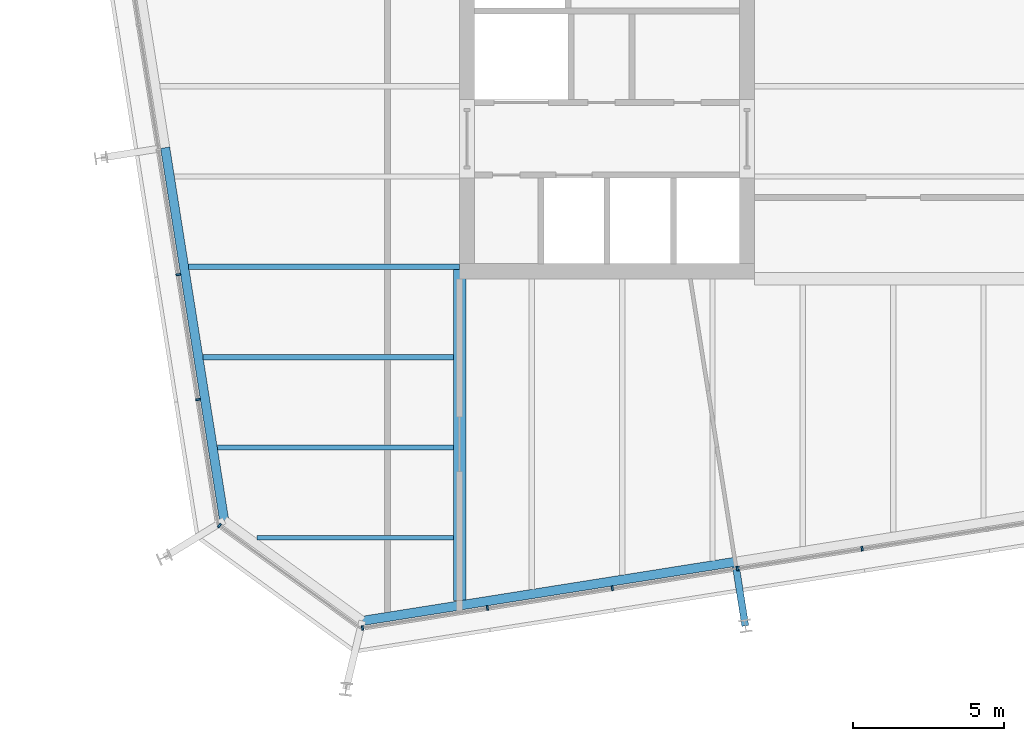
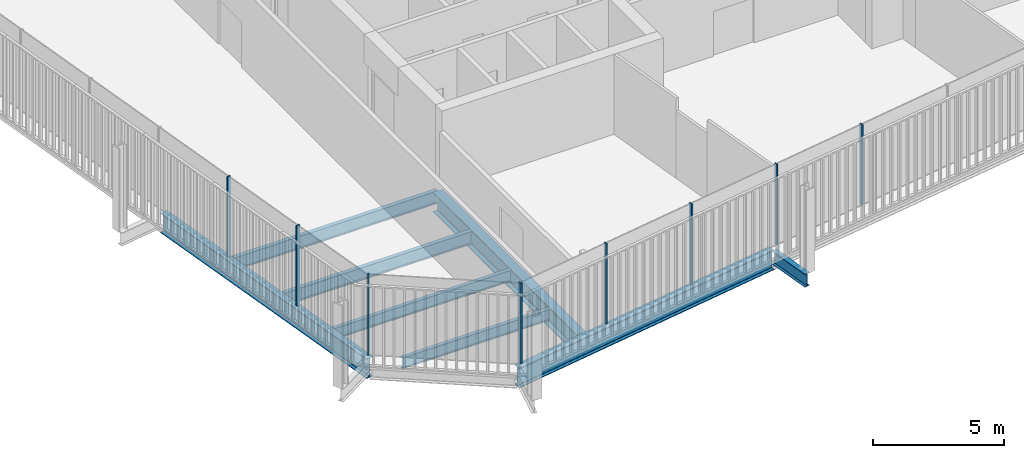
# One storey, part 2 of 20: 8 beams, 8 members, 3 elements without a shape of their own.
"""IFC4 building model written with IfcOpenShell, lengths in metres."""

from ifc_helpers import new_model, si_unit, direction, frame, origin, origin_2d, place, context, subcontext, project, spatial, rectangle, i_section, extrude, material, layer, layer_set, material_profile, profile_set, type_object, element, aggregate, save


model = new_model("IFC4")

# Units and contexts
model_context = context("Model", 3, precision=1e-05, world=origin(), true_north=direction((0.0, 1.0)))
body_context = subcontext(model_context, "Body", "Model", "MODEL_VIEW")
ifc_project = project(units=[si_unit("LENGTHUNIT", "METRE"), si_unit("AREAUNIT", "SQUARE_METRE"), si_unit("VOLUMEUNIT", "CUBIC_METRE"), si_unit("PLANEANGLEUNIT", "RADIAN"), si_unit("MASSUNIT", "GRAM", prefix="KILO")], contexts=[model_context])

# Site, building, storey
site_placement = place(None, origin())
site = spatial("IfcSite", under=ifc_project, at=site_placement, CompositionType="ELEMENT")
building_placement = place(site_placement, origin())
building = spatial("IfcBuilding", under=site, at=building_placement, Name="Millrace Tower", CompositionType="ELEMENT")
storey_placement = place(building_placement, frame((0.0, 0.0, 232.0)))
storey = spatial("IfcBuildingStorey", under=building, at=storey_placement, Name="L53", CompositionType="ELEMENT", Elevation=232.0)

# Curtain wall, member
ifc_material_1 = material(Name="Aluminium and glass", Category="aluminium")
ifc_layer = layer(ifc_material_1, 0.14990234375)
ifc_layer_set = layer_set([ifc_layer], Name="Aluminium and glass")
curtain_wall_type = type_object("IfcCurtainWallType", Name="CW-1 office vision curtain wall", PredefinedType="NOTDEFINED", material=ifc_layer_set)
placement = place(storey_placement, origin())
curtain_wall_1 = element("IfcCurtainWall", 1, at=placement, inside=storey, type_object=curtain_wall_type, Name="Curtain wall D-F01 L53", PredefinedType="NOTDEFINED")
ifc_material_2 = material(Name="Aluminium", Category="aluminium")
ifc_material_profile_1 = material_profile(ifc_material_2, rectangle(XDim=0.06494140625, YDim=0.14990234375, at=origin_2d()))
ifc_profile_set_1 = profile_set([ifc_material_profile_1], Name="Aluminium")
member_type = type_object("IfcMemberType", Name="CW-1 office vision curtain wall mullion", PredefinedType="MULLION", material=ifc_profile_set_1)
member_1_placement = place(storey_placement, frame((-22.3779296875, -17.594970703125, 0.139892578125), z_axis=(0.0, 0.0, 1.0), x_axis=(0.809016955361, -0.587785305991, 0.0)))
member_1 = element("IfcMember", 2, at=member_1_placement, type_object=member_type, Name="CW1 mullion D-F01.1", PredefinedType="MULLION", context=body_context, shape_type="SweptSolid", body=[
    extrude(rectangle(XDim=0.06494140625, YDim=0.14990234375, at=origin_2d()), origin(), (0.0, 0.0, 1.0), 3.760009765625),
])
aggregate(curtain_wall_1, [member_1])

# Curtain wall, members
curtain_wall_2 = element("IfcCurtainWall", 3, at=placement, inside=storey, type_object=curtain_wall_type, Name="Curtain wall D-F02 L53", PredefinedType="NOTDEFINED")
member_2_placement = place(storey_placement, frame((-17.62548828125, -20.992431640625, 0.139892578125), z_axis=(0.0, 0.0, 1.0), x_axis=(0.987688339511, 0.156434471884, 0.0)))
member_2 = element("IfcMember", 4, at=member_2_placement, type_object=member_type, Name="CW1 mullion D-F02.1", PredefinedType="MULLION", context=body_context, shape_type="SweptSolid", body=[
    extrude(rectangle(XDim=0.06494140625, YDim=0.14990234375, at=origin_2d()), origin(), (0.0, 0.0, 1.0), 3.760009765625),
])
member_3_placement = place(storey_placement, frame((-13.477294921875, -20.33544921875, 0.139892578125), z_axis=(0.0, 0.0, 1.0), x_axis=(0.987688339511, 0.156434471884, 0.0)))
member_3 = element("IfcMember", 5, at=member_3_placement, type_object=member_type, Name="CW1 mullion D-F02.2", PredefinedType="MULLION", context=body_context, shape_type="SweptSolid", body=[
    extrude(rectangle(XDim=0.06494140625, YDim=0.14990234375, at=origin_2d()), origin(), (0.0, 0.0, 1.0), 3.760009765625),
])
member_4_placement = place(storey_placement, frame((-9.328857421875, -19.678466796875, 0.139892578125), z_axis=(0.0, 0.0, 1.0), x_axis=(0.987688339511, 0.156434471884, 0.0)))
member_4 = element("IfcMember", 6, at=member_4_placement, type_object=member_type, Name="CW1 mullion D-F02.3", PredefinedType="MULLION", context=body_context, shape_type="SweptSolid", body=[
    extrude(rectangle(XDim=0.06494140625, YDim=0.14990234375, at=origin_2d()), origin(), (0.0, 0.0, 1.0), 3.760009765625),
])
member_5_placement = place(storey_placement, frame((-5.1806640625, -19.021240234375, 0.139892578125), z_axis=(0.0, 0.0, 1.0), x_axis=(0.987688339511, 0.156434471884, 0.0)))
member_5 = element("IfcMember", 7, at=member_5_placement, type_object=member_type, Name="CW1 mullion D-F02.4", PredefinedType="MULLION", context=body_context, shape_type="SweptSolid", body=[
    extrude(rectangle(XDim=0.06494140625, YDim=0.14990234375, at=origin_2d()), origin(), (0.0, 0.0, 1.0), 3.760009765625),
])
member_6_placement = place(storey_placement, frame((-1.0322265625, -18.3642578125, 0.139892578125), z_axis=(0.0, 0.0, 1.0), x_axis=(0.987688339511, 0.156434471884, 0.0)))
member_6 = element("IfcMember", 8, at=member_6_placement, type_object=member_type, Name="CW1 mullion D-F02.5", PredefinedType="MULLION", context=body_context, shape_type="SweptSolid", body=[
    extrude(rectangle(XDim=0.06494140625, YDim=0.14990234375, at=origin_2d()), origin(), (0.0, 0.0, 1.0), 3.760009765625),
])
aggregate(curtain_wall_2, [member_2, member_3, member_4, member_5, member_6])

curtain_wall_3 = element("IfcCurtainWall", 9, at=placement, inside=storey, type_object=curtain_wall_type, Name="Curtain wall D-F08 L53", PredefinedType="NOTDEFINED")
member_7_placement = place(storey_placement, frame((-23.7431640625, -9.262451171875, 0.139892578125), z_axis=(0.0, 0.0, 1.0), x_axis=(0.156434471884, -0.987688339511, 0.0)))
member_7 = element("IfcMember", 10, at=member_7_placement, type_object=member_type, Name="CW1 mullion D-F08.8", PredefinedType="MULLION", context=body_context, shape_type="SweptSolid", body=[
    extrude(rectangle(XDim=0.06494140625, YDim=0.14990234375, at=origin_2d()), origin(), (0.0, 0.0, 1.0), 3.760009765625),
])
member_8_placement = place(storey_placement, frame((-23.086181640625, -13.410888671875, 0.139892578125), z_axis=(0.0, 0.0, 1.0), x_axis=(0.156434471884, -0.987688339511, 0.0)))
member_8 = element("IfcMember", 11, at=member_8_placement, type_object=member_type, Name="CW1 mullion D-F08.9", PredefinedType="MULLION", context=body_context, shape_type="SweptSolid", body=[
    extrude(rectangle(XDim=0.06494140625, YDim=0.14990234375, at=origin_2d()), origin(), (0.0, 0.0, 1.0), 3.760009765625),
])
aggregate(curtain_wall_3, [member_7, member_8])

# Beams
ifc_material_3 = material(Name="Steel ASTM A992 Grade 50", Category="steel")
ifc_material_profile_2 = material_profile(ifc_material_3, i_section(OverallWidth=0.1650390625, OverallDepth=0.52587890625, WebThickness=0.0087890625, FlangeThickness=0.011474609375, FilletRadius=0.0126953125, at=origin_2d()))
ifc_profile_set_2 = profile_set([ifc_material_profile_2], Name="Steel ASTM A992 Grade 50")
beam_type_1 = type_object("IfcBeamType", Name="Floor beam W21x44", PredefinedType="JOIST", material=ifc_profile_set_2)
beam_1_placement = place(storey_placement, frame((-22.447509765625, -15.0, -0.4228515625), z_axis=(1.0, 0.0, 0.0), x_axis=(0.0, 1.0, 0.0)))
element("IfcBeam", 12, at=beam_1_placement, inside=storey, type_object=beam_type_1, Name="BM-D-L53-S1-S002", PredefinedType="JOIST", context=body_context, shape_type="SweptSolid", body=[
    extrude(i_section(OverallWidth=0.1650390625, OverallDepth=0.52587890625, WebThickness=0.0087890625, FlangeThickness=0.011474609375, FilletRadius=0.0126953125, at=origin_2d()), origin(), (0.0, 0.0, 1.0), 7.837890625),
])
beam_2_placement = place(storey_placement, frame((-21.13427734375, -18.0, -0.4228515625), z_axis=(1.0, 0.0, 0.0), x_axis=(0.0, 1.0, 0.0)))
element("IfcBeam", 13, at=beam_2_placement, inside=storey, type_object=beam_type_1, Name="BM-D-L53-S1-S001", PredefinedType="JOIST", context=body_context, shape_type="SweptSolid", body=[
    extrude(i_section(OverallWidth=0.1650390625, OverallDepth=0.52587890625, WebThickness=0.0087890625, FlangeThickness=0.011474609375, FilletRadius=0.0126953125, at=origin_2d()), origin(), (0.0, 0.0, 1.0), 6.524658203125),
])
ifc_material_4 = material(Name="Steel ASTM A992 Grade 50", Category="steel")
ifc_material_profile_3 = material_profile(ifc_material_4, i_section(OverallWidth=0.177978515625, OverallDepth=0.599365234375, WebThickness=0.010009765625, FlangeThickness=0.012939453125, FilletRadius=0.012939453125, at=origin_2d()))
ifc_profile_set_3 = profile_set([ifc_material_profile_3], Name="Steel ASTM A992 Grade 50")
beam_type_2 = type_object("IfcBeamType", Name="Floor beam W24x55", PredefinedType="JOIST", material=ifc_profile_set_3)
beam_3_placement = place(storey_placement, frame((-22.922607421875, -12.0, -0.459716796875), z_axis=(1.0, 0.0, 0.0), x_axis=(0.0, 1.0, 0.0)))
element("IfcBeam", 14, at=beam_3_placement, inside=storey, type_object=beam_type_2, Name="BM-D-L53-S1-S004", PredefinedType="JOIST", context=body_context, shape_type="SweptSolid", body=[
    extrude(i_section(OverallWidth=0.177978515625, OverallDepth=0.599365234375, WebThickness=0.010009765625, FlangeThickness=0.012939453125, FilletRadius=0.012939453125, at=origin_2d()), origin(), (0.0, 0.0, 1.0), 8.31298828125),
])
beam_4_placement = place(storey_placement, frame((-23.397705078125, -9.0, -0.459716796875), z_axis=(1.0, 0.0, 0.0), x_axis=(0.0, 1.0, 0.0)))
element("IfcBeam", 15, at=beam_4_placement, inside=storey, type_object=beam_type_2, Name="BM-D-L53-S1-S006", PredefinedType="JOIST", context=body_context, shape_type="SweptSolid", body=[
    extrude(i_section(OverallWidth=0.177978515625, OverallDepth=0.599365234375, WebThickness=0.010009765625, FlangeThickness=0.012939453125, FilletRadius=0.012939453125, at=origin_2d()), origin(), (0.0, 0.0, 1.0), 8.997802734375),
])
ifc_material_5 = material(Name="Steel ASTM A992 Grade 50", Category="steel")
ifc_material_profile_4 = material_profile(ifc_material_5, i_section(OverallWidth=0.419189453125, OverallDepth=0.927001953125, WebThickness=0.019287109375, FlangeThickness=0.031982421875, FilletRadius=0.024169921875, at=origin_2d()))
ifc_profile_set_4 = profile_set([ifc_material_profile_4], Name="Steel ASTM A992 Grade 50")
beam_type_3 = type_object("IfcBeamType", Name="Girder short span W36x231", PredefinedType="BEAM", material=ifc_profile_set_4)
beam_5_placement = place(storey_placement, frame((-14.39990234375, -20.08642578125, -0.62353515625), z_axis=(0.0, 1.0, 0.0), x_axis=(-1.0, 0.0, 0.0)))
element("IfcBeam", 16, at=beam_5_placement, inside=storey, type_object=beam_type_3, Name="BM-D-L53-S1-G055", PredefinedType="BEAM", context=body_context, shape_type="SweptSolid", body=[
    extrude(i_section(OverallWidth=0.419189453125, OverallDepth=0.927001953125, WebThickness=0.019287109375, FlangeThickness=0.031982421875, FilletRadius=0.024169921875, at=origin_2d()), origin(), (0.0, 0.0, 1.0), 10.994384765625),
])
ifc_material_6 = material(Name="Steel ASTM A992 Grade 50", Category="steel")
ifc_material_profile_5 = material_profile(ifc_material_6, i_section(OverallWidth=0.23046875, OverallDepth=0.6171875, WebThickness=0.01318359375, FlangeThickness=0.022216796875, FilletRadius=0.012939453125, at=origin_2d()))
ifc_profile_set_5 = profile_set([ifc_material_profile_5], Name="Steel ASTM A992 Grade 50")
beam_type_4 = type_object("IfcBeamType", Name="Link beam W24x94", PredefinedType="BEAM", material=ifc_profile_set_5)
beam_6_placement = place(storey_placement, frame((-5.224365234375, -18.952392578125, -0.468505859375), z_axis=(0.15637629034, -0.987697552806, 0.0), x_axis=(0.987697552806, 0.15637629034, 0.0)))
element("IfcBeam", 17, at=beam_6_placement, inside=storey, type_object=beam_type_4, Name="LNK-D-L53-S1-15", PredefinedType="BEAM", context=body_context, shape_type="SweptSolid", body=[
    extrude(i_section(OverallWidth=0.23046875, OverallDepth=0.6171875, WebThickness=0.01318359375, FlangeThickness=0.022216796875, FilletRadius=0.012939453125, at=origin_2d()), origin(), (0.0, 0.0, 1.0), 2.0),
])
ifc_material_7 = material(Name="Steel ASTM A992 Grade 50", Category="steel")
ifc_material_profile_6 = material_profile(ifc_material_7, i_section(OverallWidth=0.307373046875, OverallDepth=0.927001953125, WebThickness=0.01953125, FlangeThickness=0.031982421875, FilletRadius=0.01904296875, at=origin_2d()))
ifc_profile_set_6 = profile_set([ifc_material_profile_6], Name="Steel ASTM A992 Grade 50")
beam_type_5 = type_object("IfcBeamType", Name="Ring beam medium span W36x194", PredefinedType="SPANDREL", material=ifc_profile_set_6)
beam_7_placement = place(storey_placement, frame((-22.218505859375, -17.428466796875, -0.62353515625), z_axis=(-0.156419577072, 0.987690698503, 0.0), x_axis=(-0.987690698503, -0.156419577072, 0.0)))
element("IfcBeam", 18, at=beam_7_placement, inside=storey, type_object=beam_type_5, Name="RNG-D-L53-S1-01", PredefinedType="SPANDREL", context=body_context, shape_type="SweptSolid", body=[
    extrude(i_section(OverallWidth=0.307373046875, OverallDepth=0.927001953125, WebThickness=0.01953125, FlangeThickness=0.031982421875, FilletRadius=0.01904296875, at=origin_2d()), origin(), (0.0, 0.0, 1.0), 12.536376953125),
])
beam_8_placement = place(storey_placement, frame((-5.24853515625, -18.800537109375, -0.62353515625), z_axis=(-0.987687213011, -0.156441584157, 0.0), x_axis=(0.156441584157, -0.987687213011, 0.0)))
element("IfcBeam", 19, at=beam_8_placement, inside=storey, type_object=beam_type_5, Name="RNG-D-L53-S1-15", PredefinedType="SPANDREL", context=body_context, shape_type="SweptSolid", body=[
    extrude(i_section(OverallWidth=0.307373046875, OverallDepth=0.927001953125, WebThickness=0.01953125, FlangeThickness=0.031982421875, FilletRadius=0.01904296875, at=origin_2d()), origin(), (0.0, 0.0, 1.0), 12.5361328125),
])

save(model, "model.ifc")
